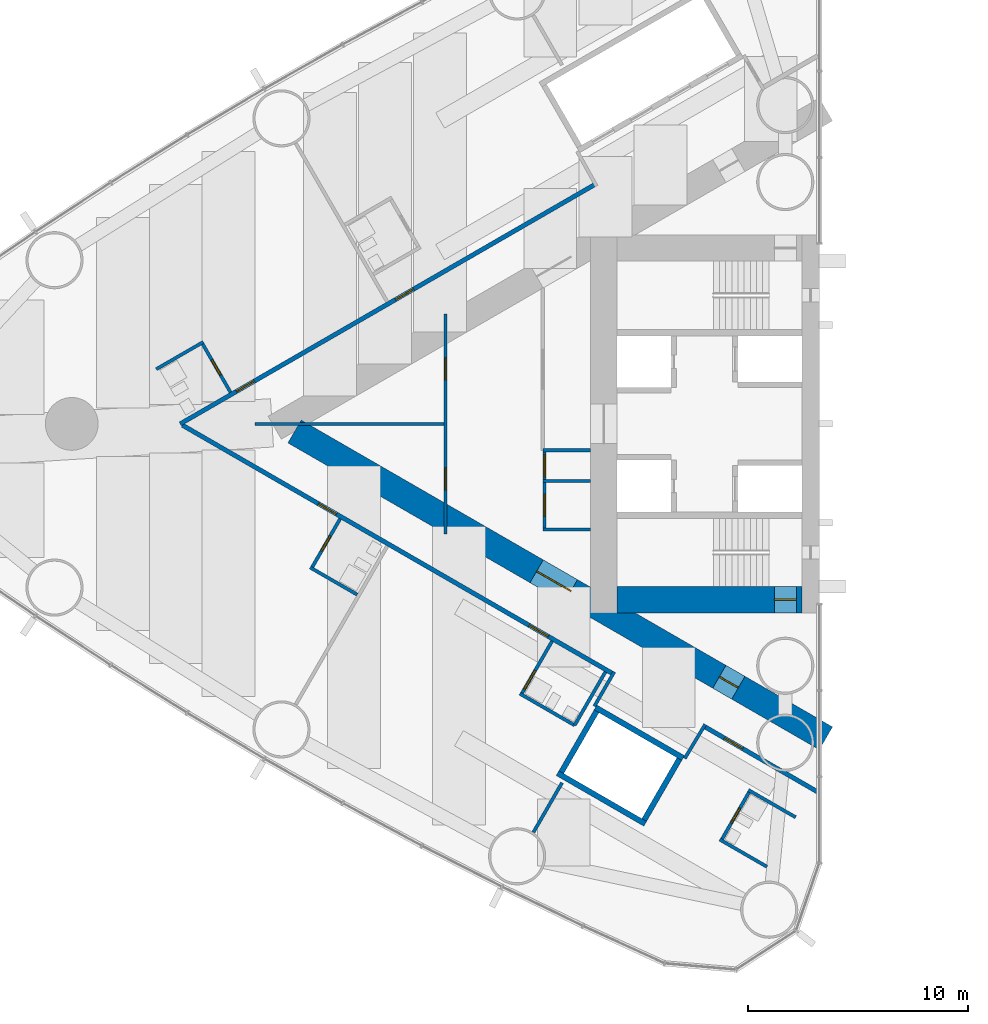
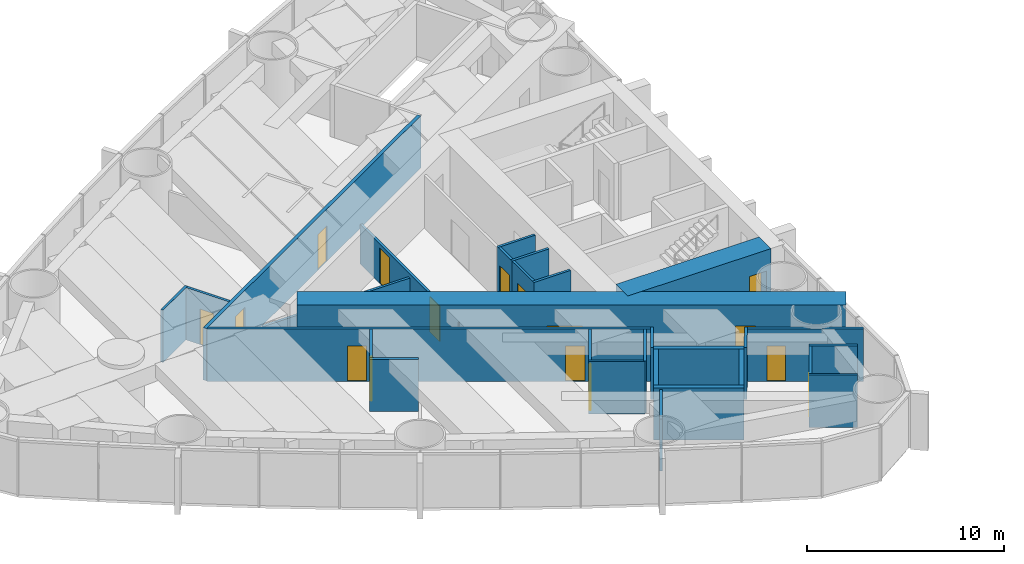
# One storey, part 11 of 19: 29 walls, 16 doors, 16 openings.
"""IFC4 building model written with IfcOpenShell, lengths in metres."""

from ifc_helpers import new_model, si_unit, direction, frame, frame_2d, origin, place, context, subcontext, project, spatial, rectangle, extrude, material, layer, layer_set, type_object, element, fill, save


model = new_model("IFC4")

# Units and contexts
model_context = context("Model", 3, precision=1e-05, world=origin(), true_north=direction((0.0, 1.0)))
body_context = subcontext(model_context, "Body", "Model", "MODEL_VIEW")
ifc_project = project(units=[si_unit("LENGTHUNIT", "METRE"), si_unit("AREAUNIT", "SQUARE_METRE"), si_unit("VOLUMEUNIT", "CUBIC_METRE"), si_unit("PLANEANGLEUNIT", "RADIAN"), si_unit("MASSUNIT", "GRAM", prefix="KILO")], contexts=[model_context])

# Site, building, storey
site_placement = place(None, origin())
site = spatial("IfcSite", under=ifc_project, at=site_placement, CompositionType="ELEMENT")
building_placement = place(site_placement, origin())
building = spatial("IfcBuilding", under=site, at=building_placement, Name="Lancet Gate Hotel", CompositionType="ELEMENT")
storey_placement = place(building_placement, frame((0.0, 0.0, 90.60009765625)))
storey = spatial("IfcBuildingStorey", under=building, at=storey_placement, Name="L23", CompositionType="ELEMENT", Elevation=90.60009765625)

# Wall
ifc_material_1 = material(Name="Moisture resistant board partition")
ifc_layer_1 = layer(ifc_material_1, 0.14990234375)
ifc_layer_set_1 = layer_set([ifc_layer_1], Name="Bathroom wall 150")
wall_type_1 = type_object("IfcWallType", Name="Bathroom wall 150", PredefinedType="PARTITIONING", material=ifc_layer_set_1)
wall_1_placement = place(storey_placement, frame((-55.51513671875, 3.725830078125, 0.0), z_axis=(0.0, 0.0, 1.0), x_axis=(-0.866006523861, -0.500032699561, 0.0)))
element("IfcWall", 1, at=wall_1_placement, inside=storey, type_object=wall_type_1, Name="T1 bathroom wall 150 L23", PredefinedType="PARTITIONING", context=body_context, shape_type="SweptSolid", body=[
    extrude(rectangle(XDim=2.474853515625, YDim=0.14990234375, at=frame_2d((1.2373046875, 0.0))), origin(), (0.0, 0.0, 1.0), 3.25),
])

# Wall, opening, door
wall_2_placement = place(storey_placement, frame((-54.280029296875, 1.4365234375, 0.0), z_axis=(0.0, 0.0, 1.0), x_axis=(-0.500006934395, 0.866021400173, 0.0)))
wall_2 = element("IfcWall", 2, at=wall_2_placement, inside=storey, type_object=wall_type_1, Name="T1 bathroom wall 150 L23", PredefinedType="PARTITIONING", context=body_context, shape_type="SweptSolid", body=[
    extrude(rectangle(XDim=2.60009765625, YDim=0.14990234375, at=frame_2d((1.300048828125, 0.0))), origin(), (0.0, 0.0, 1.0), 3.25),
])
opening_1_placement = place(wall_2_placement, frame((0.89990234375, 0.0, 0.0)))
opening_1 = element("IfcOpeningElement", 3, at=opening_1_placement, cuts=wall_2, Name="Opening 2303-B", PredefinedType="OPENING", context=body_context, shape_type="SweptSolid", body=[
    extrude(rectangle(XDim=0.800048828125, YDim=2.199951171875, at=frame_2d((0.39990234375, 1.10009765625))), frame((0.0, 0.0849609375, 0.0), z_axis=(0.0, -1.0, 0.0), x_axis=(1.0, 0.0, 0.0)), (0.0, 0.0, 1.0), 0.169921875),
])
ifc_material_2 = material(Name="Timber door set", Category="wood")
door_type_1 = type_object("IfcDoorType", Name="Bathroom door 800", OperationType="SINGLE_SWING_RIGHT", PredefinedType="DOOR", material=ifc_material_2)
door_1_placement = place(opening_1_placement, origin())
door_1 = element("IfcDoor", 4, at=door_1_placement, inside=storey, type_object=door_type_1, Name="2303-B", OperationType="SINGLE_SWING_RIGHT", OverallHeight=2.199951171875, OverallWidth=0.800048828125, PredefinedType="DOOR", context=body_context, shape_type="SweptSolid", body=[
    extrude(rectangle(XDim=0.800048828125, YDim=2.199951171875, at=frame_2d((0.39990234375, 1.10009765625))), frame((0.0, 0.02490234375, 0.0), z_axis=(0.0, -1.0, 0.0), x_axis=(1.0, 0.0, 0.0)), (0.0, 0.0, 1.0), 0.050048828125),
])
fill(opening_1, door_1)

# Wall
wall_3_placement = place(storey_placement, frame((-48.51611328125, -7.7666015625, 0.0), z_axis=(0.0, 0.0, 1.0), x_axis=(-0.866031185235, 0.4999899861, 0.0)))
element("IfcWall", 5, at=wall_3_placement, inside=storey, type_object=wall_type_1, Name="T1 bathroom wall 150 L23", PredefinedType="PARTITIONING", context=body_context, shape_type="SweptSolid", body=[
    extrude(rectangle(XDim=2.47509765625, YDim=0.14990234375, at=frame_2d((1.237548828125, 0.0))), origin(), (0.0, 0.0, 1.0), 3.25),
])

# Wall, opening, door
wall_4_placement = place(storey_placement, frame((-49.294677734375, -4.31494140625, 0.0), z_axis=(0.0, 0.0, 1.0), x_axis=(-0.499936506574, -0.866062058628, 0.0)))
wall_4 = element("IfcWall", 6, at=wall_4_placement, inside=storey, type_object=wall_type_1, Name="T1 bathroom wall 150 L23", PredefinedType="PARTITIONING", context=body_context, shape_type="SweptSolid", body=[
    extrude(rectangle(XDim=2.599853515625, YDim=0.14990234375, at=frame_2d((1.2998046875, 0.0))), origin(), (0.0, 0.0, 1.0), 3.25),
])
opening_2_placement = place(wall_4_placement, frame((0.89990234375, 0.0, 0.0)))
opening_2 = element("IfcOpeningElement", 7, at=opening_2_placement, cuts=wall_4, Name="Opening 2305-B", PredefinedType="OPENING", context=body_context, shape_type="SweptSolid", body=[
    extrude(rectangle(XDim=0.800048828125, YDim=2.199951171875, at=frame_2d((0.39990234375, 1.10009765625))), frame((0.0, 0.0849609375, 0.0), z_axis=(0.0, -1.0, 0.0), x_axis=(1.0, 0.0, 0.0)), (0.0, 0.0, 1.0), 0.169921875),
])
door_2_placement = place(opening_2_placement, origin())
door_2 = element("IfcDoor", 8, at=door_2_placement, inside=storey, type_object=door_type_1, Name="2305-B", OperationType="SINGLE_SWING_RIGHT", OverallHeight=2.199951171875, OverallWidth=0.800048828125, PredefinedType="DOOR", context=body_context, shape_type="SweptSolid", body=[
    extrude(rectangle(XDim=0.800048828125, YDim=2.199951171875, at=frame_2d((0.39990234375, 1.10009765625))), frame((0.0, 0.02490234375, 0.0), z_axis=(0.0, -1.0, 0.0), x_axis=(1.0, 0.0, 0.0)), (0.0, 0.0, 1.0), 0.050048828125),
])
fill(opening_2, door_2)

# Wall
wall_5_placement = place(storey_placement, frame((-38.630126953125, -13.705322265625, 0.0), z_axis=(0.0, 0.0, 1.0), x_axis=(-0.866018712932, 0.500011588718, 0.0)))
element("IfcWall", 9, at=wall_5_placement, inside=storey, type_object=wall_type_1, Name="T1 bathroom wall 150 L23", PredefinedType="PARTITIONING", context=body_context, shape_type="SweptSolid", body=[
    extrude(rectangle(XDim=2.875, YDim=0.14990234375, at=frame_2d((1.4375, 0.0))), origin(), (0.0, 0.0, 1.0), 3.25),
])

# Wall, opening, door
wall_6_placement = place(storey_placement, frame((-39.65478515625, -9.88037109375, 0.0), z_axis=(0.0, 0.0, 1.0), x_axis=(-0.500049511043, -0.865996816683, 0.0)))
wall_6 = element("IfcWall", 10, at=wall_6_placement, inside=storey, type_object=wall_type_1, Name="T1 bathroom wall 150 L23", PredefinedType="PARTITIONING", context=body_context, shape_type="SweptSolid", body=[
    extrude(rectangle(XDim=2.800048828125, YDim=0.14990234375, at=frame_2d((1.39990234375, 0.0))), origin(), (0.0, 0.0, 1.0), 3.25),
])
opening_3_placement = place(wall_6_placement, frame((1.550048828125, 0.0, 0.0)))
opening_3 = element("IfcOpeningElement", 11, at=opening_3_placement, cuts=wall_6, Name="Opening 2307-B", PredefinedType="OPENING", context=body_context, shape_type="SweptSolid", body=[
    extrude(rectangle(XDim=1.0, YDim=2.199951171875, at=frame_2d((0.5, 1.10009765625))), frame((0.0, 0.0849609375, 0.0), z_axis=(0.0, -1.0, 0.0), x_axis=(1.0, 0.0, 0.0)), (0.0, 0.0, 1.0), 0.169921875),
])
ifc_material_3 = material(Name="Timber door set", Category="wood")
door_type_2 = type_object("IfcDoorType", Name="Accessible en-suite door 1000", OperationType="SINGLE_SWING_RIGHT", PredefinedType="DOOR", material=ifc_material_3)
door_3_placement = place(opening_3_placement, origin())
door_3 = element("IfcDoor", 12, at=door_3_placement, inside=storey, type_object=door_type_2, Name="2307-B", OperationType="SINGLE_SWING_RIGHT", OverallHeight=2.199951171875, OverallWidth=1.0, PredefinedType="DOOR", context=body_context, shape_type="SweptSolid", body=[
    extrude(rectangle(XDim=1.0, YDim=2.199951171875, at=frame_2d((0.5, 1.10009765625))), frame((0.0, 0.02490234375, 0.0), z_axis=(0.0, -1.0, 0.0), x_axis=(1.0, 0.0, 0.0)), (0.0, 0.0, 1.0), 0.050048828125),
])
fill(opening_3, door_3)

# Walls
wall_7_placement = place(storey_placement, frame((-37.22998046875, -11.280517578125, 0.0), z_axis=(0.0, 0.0, 1.0), x_axis=(-0.500049511043, -0.865996816683, 0.0)))
element("IfcWall", 13, at=wall_7_placement, inside=storey, type_object=wall_type_1, Name="T1 bathroom wall 150 L23", PredefinedType="PARTITIONING", context=body_context, shape_type="SweptSolid", body=[
    extrude(rectangle(XDim=2.800048828125, YDim=0.14990234375, at=frame_2d((1.39990234375, 0.0))), origin(), (0.0, 0.0, 1.0), 3.25),
])
wall_8_placement = place(storey_placement, frame((-29.8818359375, -20.1416015625, 0.0), z_axis=(0.0, 0.0, 1.0), x_axis=(-0.866031185235, 0.4999899861, 0.0)))
element("IfcWall", 14, at=wall_8_placement, inside=storey, type_object=wall_type_1, Name="T1 bathroom wall 150 L23", PredefinedType="PARTITIONING", context=body_context, shape_type="SweptSolid", body=[
    extrude(rectangle(XDim=2.47509765625, YDim=0.14990234375, at=frame_2d((1.237548828125, 0.0))), origin(), (0.0, 0.0, 1.0), 3.25),
])

# Wall, opening, door
wall_9_placement = place(storey_placement, frame((-30.660400390625, -16.68994140625, 0.0), z_axis=(0.0, 0.0, 1.0), x_axis=(-0.499936506574, -0.866062058628, 0.0)))
wall_9 = element("IfcWall", 15, at=wall_9_placement, inside=storey, type_object=wall_type_1, Name="T1 bathroom wall 150 L23", PredefinedType="PARTITIONING", context=body_context, shape_type="SweptSolid", body=[
    extrude(rectangle(XDim=2.599853515625, YDim=0.14990234375, at=frame_2d((1.2998046875, 0.0))), origin(), (0.0, 0.0, 1.0), 3.25),
])
opening_4_placement = place(wall_9_placement, frame((0.89990234375, 0.0, 0.0)))
opening_4 = element("IfcOpeningElement", 16, at=opening_4_placement, cuts=wall_9, Name="Opening 2308-B", PredefinedType="OPENING", context=body_context, shape_type="SweptSolid", body=[
    extrude(rectangle(XDim=0.800048828125, YDim=2.199951171875, at=frame_2d((0.39990234375, 1.10009765625))), frame((0.0, 0.0849609375, 0.0), z_axis=(0.0, -1.0, 0.0), x_axis=(1.0, 0.0, 0.0)), (0.0, 0.0, 1.0), 0.169921875),
])
door_4_placement = place(opening_4_placement, origin())
door_4 = element("IfcDoor", 17, at=door_4_placement, inside=storey, type_object=door_type_1, Name="2308-B", OperationType="SINGLE_SWING_RIGHT", OverallHeight=2.199951171875, OverallWidth=0.800048828125, PredefinedType="DOOR", context=body_context, shape_type="SweptSolid", body=[
    extrude(rectangle(XDim=0.800048828125, YDim=2.199951171875, at=frame_2d((0.39990234375, 1.10009765625))), frame((0.0, 0.02490234375, 0.0), z_axis=(0.0, -1.0, 0.0), x_axis=(1.0, 0.0, 0.0)), (0.0, 0.0, 1.0), 0.050048828125),
])
fill(opening_4, door_4)

# Wall
wall_10_placement = place(storey_placement, frame((-28.581787109375, -17.889892578125, 0.0), z_axis=(0.0, 0.0, 1.0), x_axis=(-0.866073894602, 0.499916002032, 0.0)))
element("IfcWall", 18, at=wall_10_placement, inside=storey, type_object=wall_type_1, Name="T1 bathroom wall 150 L23", PredefinedType="PARTITIONING", context=body_context, shape_type="SweptSolid", body=[
    extrude(rectangle(XDim=2.47509765625, YDim=0.14990234375, at=frame_2d((1.237548828125, 0.0))), origin(), (0.0, 0.0, 1.0), 3.25),
])

# Wall, openings, doors
ifc_material_4 = material(Name="Concrete C70/85", Category="concrete")
ifc_layer_2 = layer(ifc_material_4, 1.199951171875)
ifc_layer_set_2 = layer_set([ifc_layer_2], Name="Buttress wall 1200")
wall_type_2 = type_object("IfcWallType", Name="Buttress wall 1200", PredefinedType="SHEAR", material=ifc_layer_set_2)
wall_11_placement = place(storey_placement, frame((-27.199951171875, -14.300048828125, 0.0), z_axis=(0.0, 0.0, 1.0), x_axis=(-0.866024021859, 0.500002393557, 0.0)))
wall_11 = element("IfcWall", 19, at=wall_11_placement, inside=storey, type_object=wall_type_2, Name="T1 buttress wall N L23", PredefinedType="SHEAR", context=body_context, shape_type="SweptSolid", body=[
    extrude(rectangle(XDim=27.906982421875, YDim=1.199951171875, at=frame_2d((13.95361328125, 0.0))), origin(), (0.0, 0.0, 1.0), 3.5),
])
opening_5_placement = place(wall_11_placement, frame((4.60009765625, 0.0, 0.0)))
opening_5 = element("IfcOpeningElement", 20, at=opening_5_placement, cuts=wall_11, Name="Opening T1-L23-LN", PredefinedType="OPENING", context=body_context, shape_type="SweptSolid", body=[
    extrude(rectangle(XDim=1.0, YDim=2.199951171875, at=frame_2d((0.5, 1.10009765625))), frame((0.0, 0.60986328125, 0.0), z_axis=(0.0, -1.0, 0.0), x_axis=(1.0, 0.0, 0.0)), (0.0, 0.0, 1.0), 1.219970703125),
])
opening_6_placement = place(wall_11_placement, frame((13.39453125, 0.0, 0.0)))
opening_6 = element("IfcOpeningElement", 21, at=opening_6_placement, cuts=wall_11, Name="Opening T1-L23-LHN", PredefinedType="OPENING", context=body_context, shape_type="SweptSolid", body=[
    extrude(rectangle(XDim=1.800048828125, YDim=2.199951171875, at=frame_2d((0.89990234375, 1.10009765625))), frame((0.0, 0.60986328125, 0.0), z_axis=(0.0, -1.0, 0.0), x_axis=(1.0, 0.0, 0.0)), (0.0, 0.0, 1.0), 1.219970703125),
])
ifc_material_5 = material(Name="Timber door set", Category="wood")
door_type_3 = type_object("IfcDoorType", Name="Lobby double door 1800", OperationType="DOUBLE_DOOR_SINGLE_SWING", PredefinedType="DOOR", material=ifc_material_5)
door_5_placement = place(opening_6_placement, origin())
door_5 = element("IfcDoor", 22, at=door_5_placement, inside=storey, type_object=door_type_3, Name="T1-L23-LHN", OperationType="DOUBLE_DOOR_SINGLE_SWING", OverallHeight=2.199951171875, OverallWidth=1.800048828125, PredefinedType="DOOR", context=body_context, shape_type="SweptSolid", body=[
    extrude(rectangle(XDim=1.800048828125, YDim=2.199951171875, at=frame_2d((0.89990234375, 1.10009765625))), frame((0.0, 0.02490234375, 0.0), z_axis=(0.0, -1.0, 0.0), x_axis=(1.0, 0.0, 0.0)), (0.0, 0.0, 1.0), 0.050048828125),
])
fill(opening_6, door_5)
ifc_material_6 = material(Name="Timber door set", Category="wood")
door_type_4 = type_object("IfcDoorType", Name="Stair lobby door 1000", OperationType="SINGLE_SWING_LEFT", PredefinedType="DOOR", material=ifc_material_6)
door_6_placement = place(opening_5_placement, origin())
door_6 = element("IfcDoor", 23, at=door_6_placement, inside=storey, type_object=door_type_4, Name="T1-L23-LN", OperationType="SINGLE_SWING_LEFT", OverallHeight=2.199951171875, OverallWidth=1.0, PredefinedType="DOOR", context=body_context, shape_type="SweptSolid", body=[
    extrude(rectangle(XDim=1.0, YDim=2.199951171875, at=frame_2d((0.5, 1.10009765625))), frame((0.0, 0.02490234375, 0.0), z_axis=(0.0, -1.0, 0.0), x_axis=(1.0, 0.0, 0.0)), (0.0, 0.0, 1.0), 0.050048828125),
])
fill(opening_5, door_6)

# Wall, opening, door
ifc_material_7 = material(Name="Concrete C70/85", Category="concrete")
ifc_layer_3 = layer(ifc_material_7, 1.199951171875)
ifc_layer_set_3 = layer_set([ifc_layer_3], Name="Core wall 1200")
wall_type_3 = type_object("IfcWallType", Name="Core wall 1200", PredefinedType="SHEAR", material=ifc_layer_set_3)
wall_12_placement = place(storey_placement, frame((-28.300048828125, -8.0, 0.0), z_axis=(0.0, 0.0, 1.0), x_axis=(-1.0, 0.0, 0.0)))
wall_12 = element("IfcWall", 24, at=wall_12_placement, inside=storey, type_object=wall_type_3, Name="T1 core wall side-N L23", PredefinedType="SHEAR", context=body_context, shape_type="SweptSolid", body=[
    extrude(rectangle(XDim=8.39990234375, YDim=1.199951171875, at=frame_2d((4.199951171875, 0.0))), origin(), (0.0, 0.0, 1.0), 3.5),
])
opening_7_placement = place(wall_12_placement, frame((0.25, 0.0, 0.0)))
opening_7 = element("IfcOpeningElement", 25, at=opening_7_placement, cuts=wall_12, Name="Opening T1-L23-ST2", PredefinedType="OPENING", context=body_context, shape_type="SweptSolid", body=[
    extrude(rectangle(XDim=1.0, YDim=2.199951171875, at=frame_2d((0.5, 1.10009765625))), frame((0.0, 0.60986328125, 0.0), z_axis=(0.0, -1.0, 0.0), x_axis=(1.0, 0.0, 0.0)), (0.0, 0.0, 1.0), 1.219970703125),
])
ifc_material_8 = material(Name="Timber door set", Category="wood")
door_type_5 = type_object("IfcDoorType", Name="Stair door 1000", OperationType="SINGLE_SWING_RIGHT", PredefinedType="DOOR", material=ifc_material_8)
door_7_placement = place(opening_7_placement, origin())
door_7 = element("IfcDoor", 26, at=door_7_placement, inside=storey, type_object=door_type_5, Name="T1-L23-ST2", OperationType="SINGLE_SWING_RIGHT", OverallHeight=2.199951171875, OverallWidth=1.0, PredefinedType="DOOR", context=body_context, shape_type="SweptSolid", body=[
    extrude(rectangle(XDim=1.0, YDim=2.199951171875, at=frame_2d((0.5, 1.10009765625))), frame((0.0, 0.02490234375, 0.0), z_axis=(0.0, -1.0, 0.0), x_axis=(1.0, 0.0, 0.0)), (0.0, 0.0, 1.0), 0.050048828125),
])
fill(opening_7, door_7)

# Wall, openings, doors
ifc_material_9 = material(Name="Gypsum board partition")
ifc_layer_4 = layer(ifc_material_9, 0.199951171875)
ifc_layer_set_4 = layer_set([ifc_layer_4], Name="Corridor wall 200")
wall_type_4 = type_object("IfcWallType", Name="Corridor wall 200", PredefinedType="PARTITIONING", material=ifc_layer_set_4)
wall_13_placement = place(storey_placement, frame((-37.699951171875, 10.8935546875, 0.0), z_axis=(0.0, 0.0, 1.0), x_axis=(-0.866027905338, -0.499995667157, 0.0)))
wall_13 = element("IfcWall", 27, at=wall_13_placement, inside=storey, type_object=wall_type_4, Name="T1 corridor wall 200 L23", PredefinedType="PARTITIONING", context=body_context, shape_type="SweptSolid", body=[
    extrude(rectangle(XDim=21.787353515625, YDim=0.199951171875, at=frame_2d((10.8935546875, 0.0))), origin(), (0.0, 0.0, 1.0), 3.25),
])
opening_8_placement = place(wall_13_placement, frame((17.88720703125, 0.0, 0.0)))
opening_8 = element("IfcOpeningElement", 28, at=opening_8_placement, cuts=wall_13, Name="Opening 2303-E", PredefinedType="OPENING", context=body_context, shape_type="SweptSolid", body=[
    extrude(rectangle(XDim=0.949951171875, YDim=2.199951171875, at=frame_2d((0.47509765625, 1.10009765625))), frame((0.0, 0.10986328125, 0.0), z_axis=(0.0, -1.0, 0.0), x_axis=(1.0, 0.0, 0.0)), (0.0, 0.0, 1.0), 0.219970703125),
])
opening_9_placement = place(wall_13_placement, frame((9.530517578125, 0.0, 0.0)))
opening_9 = element("IfcOpeningElement", 29, at=opening_9_placement, cuts=wall_13, Name="Opening 2302-E", PredefinedType="OPENING", context=body_context, shape_type="SweptSolid", body=[
    extrude(rectangle(XDim=0.949951171875, YDim=2.199951171875, at=frame_2d((0.47509765625, 1.10009765625))), frame((0.0, 0.10986328125, 0.0), z_axis=(0.0, -1.0, 0.0), x_axis=(1.0, 0.0, 0.0)), (0.0, 0.0, 1.0), 0.219970703125),
])
ifc_material_10 = material(Name="Timber door set", Category="wood")
door_type_6 = type_object("IfcDoorType", Name="Guest room entry door 950", OperationType="SINGLE_SWING_LEFT", PredefinedType="DOOR", material=ifc_material_10)
door_8_placement = place(opening_8_placement, origin())
door_8 = element("IfcDoor", 30, at=door_8_placement, inside=storey, type_object=door_type_6, Name="2303-E", OperationType="SINGLE_SWING_LEFT", OverallHeight=2.199951171875, OverallWidth=0.949951171875, PredefinedType="DOOR", context=body_context, shape_type="SweptSolid", body=[
    extrude(rectangle(XDim=0.949951171875, YDim=2.199951171875, at=frame_2d((0.47509765625, 1.10009765625))), frame((0.0, 0.02490234375, 0.0), z_axis=(0.0, -1.0, 0.0), x_axis=(1.0, 0.0, 0.0)), (0.0, 0.0, 1.0), 0.050048828125),
])
fill(opening_8, door_8)
door_9_placement = place(opening_9_placement, origin())
door_9 = element("IfcDoor", 31, at=door_9_placement, inside=storey, type_object=door_type_6, Name="2302-E", OperationType="SINGLE_SWING_LEFT", OverallHeight=2.199951171875, OverallWidth=0.949951171875, PredefinedType="DOOR", context=body_context, shape_type="SweptSolid", body=[
    extrude(rectangle(XDim=0.949951171875, YDim=2.199951171875, at=frame_2d((0.47509765625, 1.10009765625))), frame((0.0, 0.02490234375, 0.0), z_axis=(0.0, -1.0, 0.0), x_axis=(1.0, 0.0, 0.0)), (0.0, 0.0, 1.0), 0.050048828125),
])
fill(opening_9, door_9)

# Wall, opening, door
wall_14_placement = place(storey_placement, frame((-27.572021484375, -16.740966796875, 0.0), z_axis=(0.0, 0.0, 1.0), x_axis=(-0.866024464444, 0.500001626982, 0.0)))
wall_14 = element("IfcWall", 32, at=wall_14_placement, inside=storey, type_object=wall_type_4, Name="T1 corridor wall 200 L23", PredefinedType="PARTITIONING", context=body_context, shape_type="SweptSolid", body=[
    extrude(rectangle(XDim=5.955078125, YDim=0.199951171875, at=frame_2d((2.9775390625, 0.0))), origin(), (0.0, 0.0, 1.0), 3.25),
])
opening_10_placement = place(wall_14_placement, frame((3.949951171875, 0.0, 0.0)))
opening_10 = element("IfcOpeningElement", 33, at=opening_10_placement, cuts=wall_14, Name="Opening 2308-E", PredefinedType="OPENING", context=body_context, shape_type="SweptSolid", body=[
    extrude(rectangle(XDim=0.949951171875, YDim=2.199951171875, at=frame_2d((0.47509765625, 1.10009765625))), frame((0.0, 0.10986328125, 0.0), z_axis=(0.0, -1.0, 0.0), x_axis=(1.0, 0.0, 0.0)), (0.0, 0.0, 1.0), 0.219970703125),
])
door_10_placement = place(opening_10_placement, origin())
door_10 = element("IfcDoor", 34, at=door_10_placement, inside=storey, type_object=door_type_6, Name="2308-E", OperationType="SINGLE_SWING_LEFT", OverallHeight=2.199951171875, OverallWidth=0.949951171875, PredefinedType="DOOR", context=body_context, shape_type="SweptSolid", body=[
    extrude(rectangle(XDim=0.949951171875, YDim=2.199951171875, at=frame_2d((0.47509765625, 1.10009765625))), frame((0.0, 0.02490234375, 0.0), z_axis=(0.0, -1.0, 0.0), x_axis=(1.0, 0.0, 0.0)), (0.0, 0.0, 1.0), 0.050048828125),
])
fill(opening_10, door_10)

# Wall, openings, doors
wall_15_placement = place(storey_placement, frame((-36.920166015625, -11.34375, 0.0), z_axis=(0.0, 0.0, 1.0), x_axis=(-0.866028313256, 0.499994960614, 0.0)))
wall_15 = element("IfcWall", 35, at=wall_15_placement, inside=storey, type_object=wall_type_4, Name="T1 corridor wall 200 L23", PredefinedType="PARTITIONING", context=body_context, shape_type="SweptSolid", body=[
    extrude(rectangle(XDim=22.567626953125, YDim=0.199951171875, at=frame_2d((11.28369140625, 0.0))), origin(), (0.0, 0.0, 1.0), 3.25),
])
opening_11_placement = place(wall_15_placement, frame((14.48095703125, 0.0, 0.0)))
opening_11 = element("IfcOpeningElement", 36, at=opening_11_placement, cuts=wall_15, Name="Opening 2305-E", PredefinedType="OPENING", context=body_context, shape_type="SweptSolid", body=[
    extrude(rectangle(XDim=0.949951171875, YDim=2.199951171875, at=frame_2d((0.47509765625, 1.10009765625))), frame((0.0, 0.10986328125, 0.0), z_axis=(0.0, -1.0, 0.0), x_axis=(1.0, 0.0, 0.0)), (0.0, 0.0, 1.0), 0.219970703125),
])
opening_12_placement = place(wall_15_placement, frame((3.35009765625, 0.0, 0.0)))
opening_12 = element("IfcOpeningElement", 37, at=opening_12_placement, cuts=wall_15, Name="Opening 2307-E", PredefinedType="OPENING", context=body_context, shape_type="SweptSolid", body=[
    extrude(rectangle(XDim=1.0, YDim=2.199951171875, at=frame_2d((0.5, 1.10009765625))), frame((0.0, 0.10986328125, 0.0), z_axis=(0.0, -1.0, 0.0), x_axis=(1.0, 0.0, 0.0)), (0.0, 0.0, 1.0), 0.219970703125),
])
ifc_material_11 = material(Name="Timber door set", Category="wood")
door_type_7 = type_object("IfcDoorType", Name="Accessible guest room door 1000", OperationType="SINGLE_SWING_LEFT", PredefinedType="DOOR", material=ifc_material_11)
door_11_placement = place(opening_12_placement, origin())
door_11 = element("IfcDoor", 38, at=door_11_placement, inside=storey, type_object=door_type_7, Name="2307-E", OperationType="SINGLE_SWING_LEFT", OverallHeight=2.199951171875, OverallWidth=1.0, PredefinedType="DOOR", context=body_context, shape_type="SweptSolid", body=[
    extrude(rectangle(XDim=1.0, YDim=2.199951171875, at=frame_2d((0.5, 1.10009765625))), frame((0.0, 0.02490234375, 0.0), z_axis=(0.0, -1.0, 0.0), x_axis=(1.0, 0.0, 0.0)), (0.0, 0.0, 1.0), 0.050048828125),
])
fill(opening_12, door_11)
door_12_placement = place(opening_11_placement, origin())
door_12 = element("IfcDoor", 39, at=door_12_placement, inside=storey, type_object=door_type_6, Name="2305-E", OperationType="SINGLE_SWING_LEFT", OverallHeight=2.199951171875, OverallWidth=0.949951171875, PredefinedType="DOOR", context=body_context, shape_type="SweptSolid", body=[
    extrude(rectangle(XDim=0.949951171875, YDim=2.199951171875, at=frame_2d((0.47509765625, 1.10009765625))), frame((0.0, 0.02490234375, 0.0), z_axis=(0.0, -1.0, 0.0), x_axis=(1.0, 0.0, 0.0)), (0.0, 0.0, 1.0), 0.050048828125),
])
fill(opening_11, door_12)

# Walls
ifc_material_12 = material(Name="Gypsum board partition")
ifc_layer_5 = layer(ifc_material_12, 0.25)
ifc_layer_set_5 = layer_set([ifc_layer_5], Name="Lift shaft partition 250")
wall_type_5 = type_object("IfcWallType", Name="Lift shaft partition 250", PredefinedType="PARTITIONING", material=ifc_layer_set_5)
wall_16_placement = place(storey_placement, frame((-33.695556640625, -15.197265625, 0.0), z_axis=(0.0, 0.0, 1.0), x_axis=(-0.865976953817, 0.500083908417, 0.0)))
element("IfcWall", 40, at=wall_16_placement, inside=storey, type_object=wall_type_5, Name="T1 lift shaft wall EX L23", PredefinedType="PARTITIONING", context=body_context, shape_type="SweptSolid", body=[
    extrude(rectangle(XDim=4.599365234375, YDim=0.25, at=frame_2d((2.2998046875, 0.0))), origin(), (0.0, 0.0, 1.0), 3.25),
])
wall_17_placement = place(storey_placement, frame((-35.42041015625, -18.185791015625, 0.0), z_axis=(0.0, 0.0, 1.0), x_axis=(-0.865990227814, 0.50006092162, 0.0)))
element("IfcWall", 41, at=wall_17_placement, inside=storey, type_object=wall_type_5, Name="T1 lift shaft wall EX L23", PredefinedType="PARTITIONING", context=body_context, shape_type="SweptSolid", body=[
    extrude(rectangle(XDim=4.599609375, YDim=0.25, at=frame_2d((2.2998046875, 0.0))), origin(), (0.0, 0.0, 1.0), 3.25),
])
wall_18_placement = place(storey_placement, frame((-33.8662109375, -15.242919921875, 0.0), z_axis=(0.0, 0.0, 1.0), x_axis=(-0.499929347863, -0.866066190972, 0.0)))
element("IfcWall", 42, at=wall_18_placement, inside=storey, type_object=wall_type_5, Name="T1 lift shaft wall EX L23", PredefinedType="PARTITIONING", context=body_context, shape_type="SweptSolid", body=[
    extrude(rectangle(XDim=3.20068359375, YDim=0.25, at=frame_2d((1.600341796875, 0.0))), origin(), (0.0, 0.0, 1.0), 3.25),
])
wall_19_placement = place(storey_placement, frame((-37.6328125, -13.068115234375, 0.0), z_axis=(0.0, 0.0, 1.0), x_axis=(-0.499872130319, -0.866099216793, 0.0)))
element("IfcWall", 43, at=wall_19_placement, inside=storey, type_object=wall_type_5, Name="T1 lift shaft wall EX L23", PredefinedType="PARTITIONING", context=body_context, shape_type="SweptSolid", body=[
    extrude(rectangle(XDim=3.200439453125, YDim=0.25, at=frame_2d((1.60009765625, 0.0))), origin(), (0.0, 0.0, 1.0), 3.25),
])
ifc_material_13 = material(Name="Gypsum board partition")
ifc_layer_6 = layer(ifc_material_13, 0.14990234375)
ifc_layer_set_6 = layer_set([ifc_layer_6], Name="Party wall 150")
wall_type_6 = type_object("IfcWallType", Name="Party wall 150", PredefinedType="PARTITIONING", material=ifc_layer_set_6)
wall_20_placement = place(storey_placement, frame((-39.2021484375, -16.319580078125, 0.0), z_axis=(0.0, 0.0, 1.0), x_axis=(-0.49997716683, -0.86603858612, 0.0)))
element("IfcWall", 44, at=wall_20_placement, inside=storey, type_object=wall_type_6, Name="T1 party wall 150 L23", PredefinedType="PARTITIONING", context=body_context, shape_type="SweptSolid", body=[
    extrude(rectangle(XDim=2.599609375, YDim=0.14990234375, at=frame_2d((1.2998046875, 0.0))), origin(), (0.0, 0.0, 1.0), 3.25),
])
ifc_material_14 = material(Name="Gypsum board partition")
ifc_layer_7 = layer(ifc_material_14, 0.14990234375)
ifc_layer_set_7 = layer_set([ifc_layer_7], Name="Service room wall 150")
wall_type_7 = type_object("IfcWallType", Name="Service room wall 150", PredefinedType="PARTITIONING", material=ifc_layer_set_7)
wall_21_placement = place(storey_placement, frame((-36.831298828125, -11.27978515625, 0.0), z_axis=(0.0, 0.0, 1.0), x_axis=(-0.499937177781, -0.866061671171, 0.0)))
element("IfcWall", 45, at=wall_21_placement, inside=storey, type_object=wall_type_7, Name="T1 service room wall 150 L23", PredefinedType="PARTITIONING", context=body_context, shape_type="SweptSolid", body=[
    extrude(rectangle(XDim=1.804443359375, YDim=0.14990234375, at=frame_2d((0.90234375, 0.0))), origin(), (0.0, 0.0, 1.0), 3.25),
])
wall_22_placement = place(storey_placement, frame((-33.62060546875, -15.217529296875, 0.0), z_axis=(0.0, 0.0, 1.0), x_axis=(0.514336634837, 0.857588377991, 0.0)))
element("IfcWall", 46, at=wall_22_placement, inside=storey, type_object=wall_type_7, Name="T1 service room wall 150 L23", PredefinedType="PARTITIONING", context=body_context, shape_type="SweptSolid", body=[
    extrude(rectangle(XDim=1.80517578125, YDim=0.14990234375, at=frame_2d((0.902587890625, 0.0))), origin(), (0.0, 0.0, 1.0), 3.25),
])
for number, where, z_axis, x_axis, name in (
    (47, (-37.89990234375, -1.199951171875, 0.0), (0.0, 0.0, 1.0), (-1.0, 0.0, 0.0), "T1 service room wall 150 L23"),
    (48, (-37.89990234375, -2.60009765625, 0.0), (0.0, 0.0, 1.0), (-1.0, 0.0, 0.0), "T1 service room wall 150 L23"),
    (49, (-37.89990234375, -4.800048828125, 0.0), (0.0, 0.0, 1.0), (-1.0, 0.0, 0.0), "T1 service room wall 150 L23"),
):
    element("IfcWall", number, at=place(storey_placement, frame(where, z_axis=z_axis, x_axis=x_axis)), inside=storey, type_object=wall_type_7, Name=name, PredefinedType="PARTITIONING", context=body_context, shape_type="SweptSolid", body=[
        extrude(rectangle(XDim=2.175048828125, YDim=0.14990234375, at=frame_2d((1.08740234375, 0.0))), origin(), (0.0, 0.0, 1.0), 3.25),
    ])

# Wall, opening, door
wall_23_placement = place(storey_placement, frame((-40.0, -1.125, 0.0), z_axis=(0.0, 0.0, 1.0), x_axis=(0.0, -1.0, 0.0)))
wall_23 = element("IfcWall", 50, at=wall_23_placement, inside=storey, type_object=wall_type_7, Name="T1 service room wall 150 L23", PredefinedType="PARTITIONING", context=body_context, shape_type="SweptSolid", body=[
    extrude(rectangle(XDim=1.550048828125, YDim=0.14990234375, at=frame_2d((0.77490234375, 0.0))), origin(), (0.0, 0.0, 1.0), 3.25),
])
opening_13_placement = place(wall_23_placement, frame((0.27490234375, 0.0, 0.0)))
opening_13 = element("IfcOpeningElement", 51, at=opening_13_placement, cuts=wall_23, Name="Opening T1-L23-HRN0", PredefinedType="OPENING", context=body_context, shape_type="SweptSolid", body=[
    extrude(rectangle(XDim=1.0, YDim=2.199951171875, at=frame_2d((0.5, 1.10009765625))), frame((0.0, 0.0849609375, 0.0), z_axis=(0.0, -1.0, 0.0), x_axis=(1.0, 0.0, 0.0)), (0.0, 0.0, 1.0), 0.169921875),
])
ifc_material_15 = material(Name="Timber door set", Category="wood")
door_type_8 = type_object("IfcDoorType", Name="Service door 1000", OperationType="SINGLE_SWING_LEFT", PredefinedType="DOOR", material=ifc_material_15)
door_13_placement = place(opening_13_placement, origin())
door_13 = element("IfcDoor", 52, at=door_13_placement, inside=storey, type_object=door_type_8, Name="T1-L23-HRN0", OperationType="SINGLE_SWING_LEFT", OverallHeight=2.199951171875, OverallWidth=1.0, PredefinedType="DOOR", context=body_context, shape_type="SweptSolid", body=[
    extrude(rectangle(XDim=1.0, YDim=2.199951171875, at=frame_2d((0.5, 1.10009765625))), frame((0.0, 0.02490234375, 0.0), z_axis=(0.0, -1.0, 0.0), x_axis=(1.0, 0.0, 0.0)), (0.0, 0.0, 1.0), 0.050048828125),
])
fill(opening_13, door_13)

wall_24_placement = place(storey_placement, frame((-40.0, -2.52490234375, 0.0), z_axis=(0.0, 0.0, 1.0), x_axis=(0.0, -1.0, 0.0)))
wall_24 = element("IfcWall", 53, at=wall_24_placement, inside=storey, type_object=wall_type_7, Name="T1 service room wall 150 L23", PredefinedType="PARTITIONING", context=body_context, shape_type="SweptSolid", body=[
    extrude(rectangle(XDim=2.35009765625, YDim=0.14990234375, at=frame_2d((1.175048828125, 0.0))), origin(), (0.0, 0.0, 1.0), 3.25),
])
opening_14_placement = place(wall_24_placement, frame((0.675048828125, 0.0, 0.0)))
opening_14 = element("IfcOpeningElement", 54, at=opening_14_placement, cuts=wall_24, Name="Opening T1-L23-HRN1", PredefinedType="OPENING", context=body_context, shape_type="SweptSolid", body=[
    extrude(rectangle(XDim=1.0, YDim=2.199951171875, at=frame_2d((0.5, 1.10009765625))), frame((0.0, 0.0849609375, 0.0), z_axis=(0.0, -1.0, 0.0), x_axis=(1.0, 0.0, 0.0)), (0.0, 0.0, 1.0), 0.169921875),
])
door_14_placement = place(opening_14_placement, origin())
door_14 = element("IfcDoor", 55, at=door_14_placement, inside=storey, type_object=door_type_8, Name="T1-L23-HRN1", OperationType="SINGLE_SWING_LEFT", OverallHeight=2.199951171875, OverallWidth=1.0, PredefinedType="DOOR", context=body_context, shape_type="SweptSolid", body=[
    extrude(rectangle(XDim=1.0, YDim=2.199951171875, at=frame_2d((0.5, 1.10009765625))), frame((0.0, 0.02490234375, 0.0), z_axis=(0.0, -1.0, 0.0), x_axis=(1.0, 0.0, 0.0)), (0.0, 0.0, 1.0), 0.050048828125),
])
fill(opening_14, door_14)

# Wall, openings, doors
wall_25_placement = place(storey_placement, frame((-44.5, 5.004638671875, 0.0), z_axis=(0.0, 0.0, 1.0), x_axis=(0.0, -1.0, 0.0)))
wall_25 = element("IfcWall", 56, at=wall_25_placement, inside=storey, type_object=wall_type_7, Name="T1 service room wall 150 L23", PredefinedType="PARTITIONING", context=body_context, shape_type="SweptSolid", body=[
    extrude(rectangle(XDim=10.00927734375, YDim=0.14990234375, at=frame_2d((5.004638671875, 0.0))), origin(), (0.0, 0.0, 1.0), 2.449951171875),
])
opening_15_placement = place(wall_25_placement, frame((2.002197265625, 0.0, 0.0)))
opening_15 = element("IfcOpeningElement", 57, at=opening_15_placement, cuts=wall_25, Name="Opening T1-L23-SV", PredefinedType="OPENING", context=body_context, shape_type="SweptSolid", body=[
    extrude(rectangle(XDim=1.0, YDim=2.199951171875, at=frame_2d((0.5, 1.10009765625))), frame((0.0, 0.0849609375, 0.0), z_axis=(0.0, -1.0, 0.0), x_axis=(1.0, 0.0, 0.0)), (0.0, 0.0, 1.0), 0.169921875),
])
opening_16_placement = place(wall_25_placement, frame((7.0068359375, 0.0, 0.0)))
opening_16 = element("IfcOpeningElement", 58, at=opening_16_placement, cuts=wall_25, Name="Opening T1-L23-SV2", PredefinedType="OPENING", context=body_context, shape_type="SweptSolid", body=[
    extrude(rectangle(XDim=1.0, YDim=2.199951171875, at=frame_2d((0.5, 1.10009765625))), frame((0.0, 0.0849609375, 0.0), z_axis=(0.0, -1.0, 0.0), x_axis=(1.0, 0.0, 0.0)), (0.0, 0.0, 1.0), 0.169921875),
])
door_15_placement = place(opening_15_placement, origin())
door_15 = element("IfcDoor", 59, at=door_15_placement, inside=storey, type_object=door_type_8, Name="T1-L23-SV", OperationType="SINGLE_SWING_LEFT", OverallHeight=2.199951171875, OverallWidth=1.0, PredefinedType="DOOR", context=body_context, shape_type="SweptSolid", body=[
    extrude(rectangle(XDim=1.0, YDim=2.199951171875, at=frame_2d((0.5, 1.10009765625))), frame((0.0, 0.02490234375, 0.0), z_axis=(0.0, -1.0, 0.0), x_axis=(1.0, 0.0, 0.0)), (0.0, 0.0, 1.0), 0.050048828125),
])
fill(opening_15, door_15)
door_16_placement = place(opening_16_placement, origin())
door_16 = element("IfcDoor", 60, at=door_16_placement, inside=storey, type_object=door_type_8, Name="T1-L23-SV2", OperationType="SINGLE_SWING_LEFT", OverallHeight=2.199951171875, OverallWidth=1.0, PredefinedType="DOOR", context=body_context, shape_type="SweptSolid", body=[
    extrude(rectangle(XDim=1.0, YDim=2.199951171875, at=frame_2d((0.5, 1.10009765625))), frame((0.0, 0.02490234375, 0.0), z_axis=(0.0, -1.0, 0.0), x_axis=(1.0, 0.0, 0.0)), (0.0, 0.0, 1.0), 0.050048828125),
])
fill(opening_16, door_16)

# Wall
wall_26_placement = place(storey_placement, frame((-44.574951171875, 0.0, 0.0), z_axis=(0.0, 0.0, 1.0), x_axis=(-1.0, 0.0, 0.0)))
element("IfcWall", 61, at=wall_26_placement, inside=storey, type_object=wall_type_7, Name="T1 service room wall 150 L23", PredefinedType="PARTITIONING", context=body_context, shape_type="SweptSolid", body=[
    extrude(rectangle(XDim=8.59326171875, YDim=0.14990234375, at=frame_2d((4.296630859375, 0.0))), origin(), (0.0, 0.0, 1.0), 2.199951171875),
])

save(model, "model.ifc")
